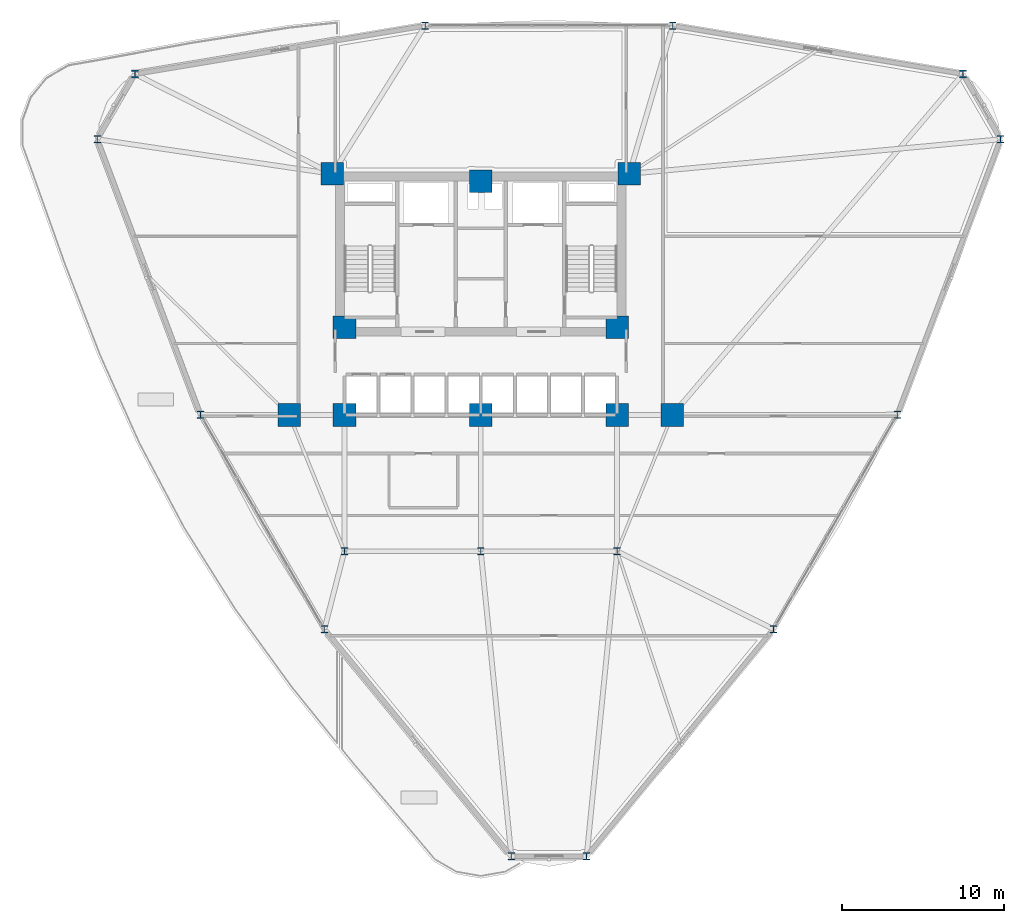
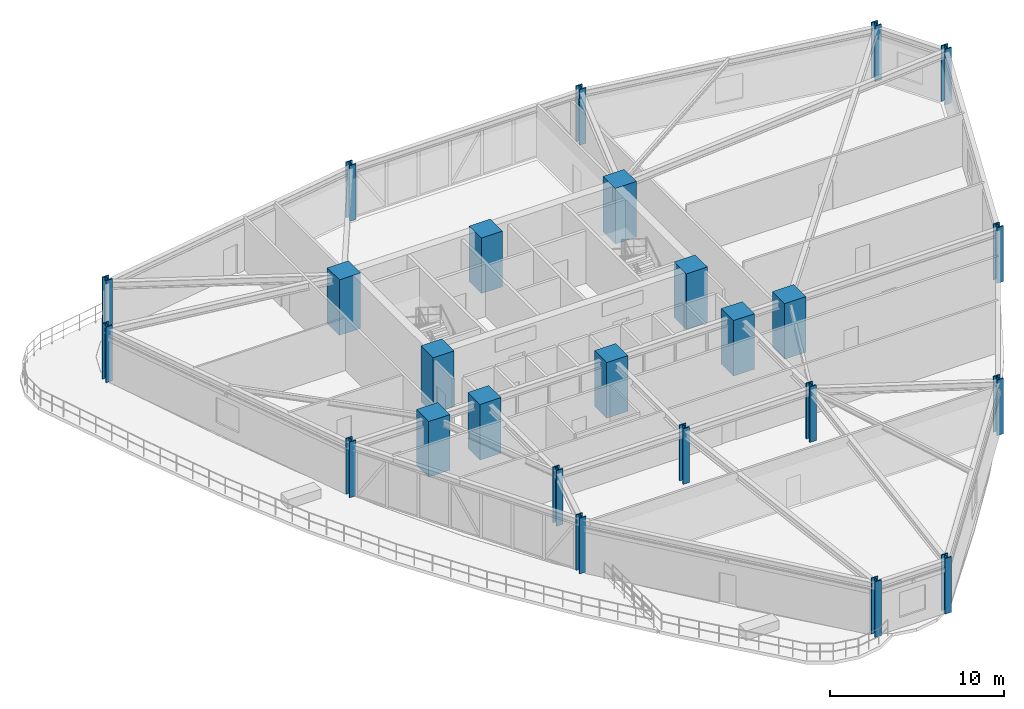
# One storey, part 1 of 21: 25 columns.
"""IFC4 building model written with IfcOpenShell, lengths in metres."""

from ifc_helpers import new_model, si_unit, derived_unit, direction, frame, origin, origin_2d, place, context, subcontext, project, spatial, rectangle, i_section, extrude, source, transform, mapped, material, material_profile, profile_set, type_object, element, save


model = new_model("IFC4")

# Units and contexts
model_context = context("Model", 3, precision=1e-05, world=origin(), true_north=direction((0.0, 1.0)))
body_context = subcontext(model_context, "Body", "Model", "MODEL_VIEW")
ifc_project = project(units=[si_unit("LENGTHUNIT", "METRE"), si_unit("AREAUNIT", "SQUARE_METRE"), si_unit("VOLUMEUNIT", "CUBIC_METRE"), si_unit("PLANEANGLEUNIT", "RADIAN"), si_unit("MASSUNIT", "GRAM", prefix="KILO"), derived_unit("THERMALTRANSMITTANCEUNIT", [(si_unit("POWERUNIT", "WATT"), 1), (si_unit("LENGTHUNIT", "METRE"), -2), (si_unit("THERMODYNAMICTEMPERATUREUNIT", "KELVIN"), -1)])], contexts=[model_context])

# Site, building, storey
site_placement = place(None, origin())
site = spatial("IfcSite", under=ifc_project, at=site_placement, CompositionType="ELEMENT")
building_placement = place(site_placement, origin())
building = spatial("IfcBuilding", under=site, at=building_placement, Name="Korsvarv Bourse and Concert Hall", CompositionType="ELEMENT")
storey_placement = place(building_placement, frame((0.0, 0.0, 63.89990234375)))
storey = spatial("IfcBuildingStorey", under=building, at=storey_placement, Name="L15", CompositionType="ELEMENT", Elevation=63.89990234375)

# Columns
ifc_material_1 = material(Name="Concrete C60/75", Category="concrete")
ifc_material_profile_1 = material_profile(ifc_material_1, rectangle(XDim=1.39990234375, YDim=1.39990234375, at=origin_2d()), Name="RC 1400x1400")
ifc_profile_set_1 = profile_set([ifc_material_profile_1], Name="Concrete C60/75")
column_type_1 = type_object("IfcColumnType", Name="COL-RC1400", PredefinedType="COLUMN", material=ifc_profile_set_1)
shared_shape_1 = source(origin(), body_context, "Body", "SweptSolid", [
    extrude(rectangle(XDim=1.39990234375, YDim=1.39990234375, at=origin_2d()), origin(), (0.0, 0.0, 1.0), 3.900146484375),
])
for number, where, z_axis, x_axis, name in (
    (1, (26.85009765625, 47.25, 0.0), (0.0, 0.0, 1.0), (1.0, 0.0, 0.0), "L15 column C-01"),
    (2, (45.14990234375, 47.25, 0.0), (0.0, 0.0, 1.0), (1.0, 0.0, 0.0), "L15 column C-01"),
    (3, (27.60009765625, 37.800048828125, 0.0), (0.0, 0.0, 1.0), (1.0, 0.0, 0.0), "L15 column C-01"),
    (4, (44.39990234375, 37.800048828125, 0.0), (0.0, 0.0, 1.0), (1.0, 0.0, 0.0), "L15 column C-01"),
    (5, (27.60009765625, 32.39990234375, 0.0), (0.0, 0.0, 1.0), (1.0, 0.0, 0.0), "L15 column C-01"),
    (6, (44.39990234375, 32.39990234375, 0.0), (0.0, 0.0, 1.0), (1.0, 0.0, 0.0), "L15 column C-01"),
    (7, (36.0, 46.800048828125, 0.0), (0.0, 0.0, 1.0), (1.0, 0.0, 0.0), "L15 column C-01"),
    (8, (36.0, 32.39990234375, 0.0), (0.0, 0.0, 1.0), (1.0, 0.0, 0.0), "L15 column C-01"),
    (9, (24.199951171875, 32.39990234375, 0.0), (0.0, 0.0, 1.0), (1.0, 0.0, 0.0), "L15 column C-01"),
    (10, (47.800048828125, 32.39990234375, 0.0), (0.0, 0.0, 1.0), (1.0, 0.0, 0.0), "L15 column C-01"),
):
    element("IfcColumn", number, at=place(storey_placement, frame(where, z_axis=z_axis, x_axis=x_axis)), inside=storey, type_object=column_type_1, Name=name, PredefinedType="COLUMN", context=body_context, shape_type="MappedRepresentation", body=[
        mapped(shared_shape_1, transform((0.0, 0.0, 0.0), scale=1.0)),
    ])
ifc_material_2 = material(Name="Steel S460", Category="steel")
ifc_material_profile_2 = material_profile(ifc_material_2, i_section(OverallWidth=0.424072265625, OverallDepth=0.47412109375, WebThickness=0.044921875, FlangeThickness=0.072021484375, FilletRadius=0.014892578125, at=origin_2d()), Name="HD 400x634")
ifc_profile_set_2 = profile_set([ifc_material_profile_2], Name="Steel S460")
column_type_2 = type_object("IfcColumnType", Name="COL-HD634", PredefinedType="COLUMN", material=ifc_profile_set_2)
shared_shape_2 = source(origin(), body_context, "Body", "SweptSolid", [
    extrude(i_section(OverallWidth=0.424072265625, OverallDepth=0.47412109375, WebThickness=0.044921875, FlangeThickness=0.072021484375, FilletRadius=0.014892578125, at=origin_2d()), origin(), (0.0, 0.0, 1.0), 3.900146484375),
])
for number, where, z_axis, x_axis, name in (
    (11, (27.60009765625, 24.0, 0.0), (0.0, 0.0, 1.0), (1.0, 0.0, 0.0), "L15 column C-07"),
    (12, (44.39990234375, 24.0, 0.0), (0.0, 0.0, 1.0), (1.0, 0.0, 0.0), "L15 column C-07"),
    (13, (36.0, 24.0, 0.0), (0.0, 0.0, 1.0), (1.0, 0.0, 0.0), "L15 column C-07"),
    (14, (68.0166015625, 49.382080078125, 0.0), (0.0, 0.0, 1.0), (1.0, 0.0, 0.0), "L15 column C-07"),
    (15, (65.69775390625, 53.398681640625, 0.0), (0.0, 0.0, 1.0), (1.0, 0.0, 0.0), "L15 column C-07"),
    (16, (47.82666015625, 56.376708984375, 0.0), (0.0, 0.0, 1.0), (1.0, 0.0, 0.0), "L15 column C-07"),
    (17, (32.5732421875, 56.376708984375, 0.0), (0.0, 0.0, 1.0), (1.0, 0.0, 0.0), "L15 column C-07"),
    (18, (14.702392578125, 53.398681640625, 0.0), (0.0, 0.0, 1.0), (1.0, 0.0, 0.0), "L15 column C-07"),
    (19, (12.38330078125, 49.382080078125, 0.0), (0.0, 0.0, 1.0), (1.0, 0.0, 0.0), "L15 column C-07"),
    (20, (18.73974609375, 32.41650390625, 0.0), (0.0, 0.0, 1.0), (1.0, 0.0, 0.0), "L15 column C-07"),
    (21, (26.36669921875, 19.206787109375, 0.0), (0.0, 0.0, 1.0), (1.0, 0.0, 0.0), "L15 column C-07"),
    (22, (37.881103515625, 5.218994140625, 0.0), (0.0, 0.0, 1.0), (1.0, 0.0, 0.0), "L15 column C-07"),
    (23, (42.51904296875, 5.218994140625, 0.0), (0.0, 0.0, 1.0), (1.0, 0.0, 0.0), "L15 column C-07"),
    (24, (54.033447265625, 19.206787109375, 0.0), (0.0, 0.0, 1.0), (1.0, 0.0, 0.0), "L15 column C-07"),
    (25, (61.66015625, 32.41650390625, 0.0), (0.0, 0.0, 1.0), (1.0, 0.0, 0.0), "L15 column C-07"),
):
    element("IfcColumn", number, at=place(storey_placement, frame(where, z_axis=z_axis, x_axis=x_axis)), inside=storey, type_object=column_type_2, Name=name, PredefinedType="COLUMN", context=body_context, shape_type="MappedRepresentation", body=[
        mapped(shared_shape_2, transform((0.0, 0.0, 0.0), scale=1.0)),
    ])

save(model, "model.ifc")
